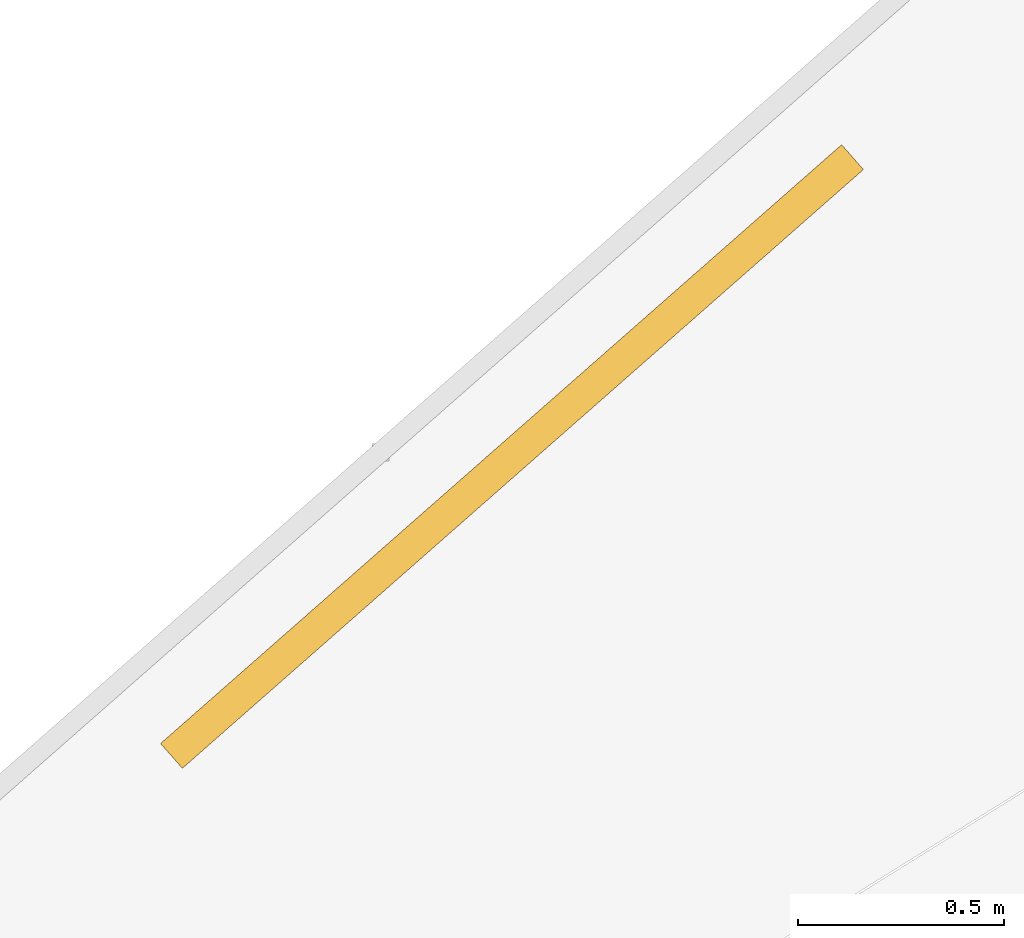
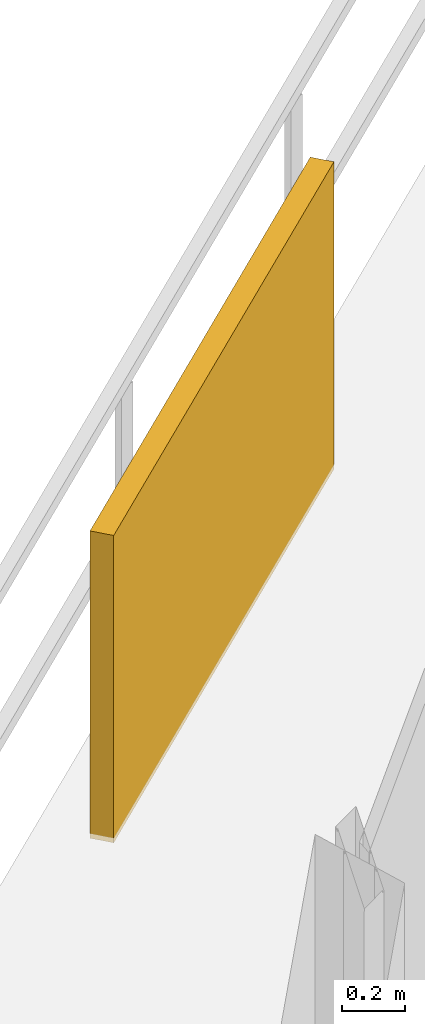
# One storey, part 29 of 30: 1 shading device.
"""IFC4 building model written with IfcOpenShell, lengths in metres."""

from ifc_helpers import new_model, si_unit, direction, frame, origin, origin_2d, place, context, subcontext, project, spatial, rectangle, extrude, material, type_object, element, save


model = new_model("IFC4")

# Units and contexts
model_context = context("Model", 3, precision=1e-05, world=origin(), true_north=direction((0.0, 1.0)))
body_context = subcontext(model_context, "Body", "Model", "MODEL_VIEW")
ifc_project = project(units=[si_unit("LENGTHUNIT", "METRE"), si_unit("AREAUNIT", "SQUARE_METRE"), si_unit("VOLUMEUNIT", "CUBIC_METRE"), si_unit("PLANEANGLEUNIT", "RADIAN"), si_unit("MASSUNIT", "GRAM", prefix="KILO")], contexts=[model_context])

# Site, building, storey
site_placement = place(None, origin())
site = spatial("IfcSite", under=ifc_project, at=site_placement, CompositionType="ELEMENT")
building_placement = place(site_placement, origin())
building = spatial("IfcBuilding", under=site, at=building_placement, Name="Vorneva Point Tower", CompositionType="ELEMENT")
storey_placement = place(building_placement, frame((0.0, 0.0, 96.300048828125)))
storey = spatial("IfcBuildingStorey", under=building, at=storey_placement, Name="L25", CompositionType="ELEMENT", Elevation=96.300048828125)

# Shading device
ifc_material = material(Name="Pale anodised aluminium", Category="aluminium")
shading_device_type = type_object("IfcShadingDeviceType", Name="SHD-JAL-1200", PredefinedType="JALOUSIE", material=ifc_material)
shading_device_placement = place(storey_placement, frame((20.167724609375, 42.24560546875, -0.02001953125), z_axis=(0.0, 0.0, 1.0), x_axis=(-0.75099913133, -0.660303191527, 0.0)))
element("IfcShadingDevice", 1, at=shading_device_placement, inside=storey, type_object=shading_device_type, Name="L25 Balcony Vertical-Greenery Planter Screen NW.2", PredefinedType="JALOUSIE", context=body_context, shape_type="SweptSolid", body=[
    extrude(rectangle(XDim=2.199951171875, YDim=0.080078125, at=origin_2d()), origin(), (0.0, 0.0, 1.0), 1.199951171875),
])

save(model, "model.ifc")
